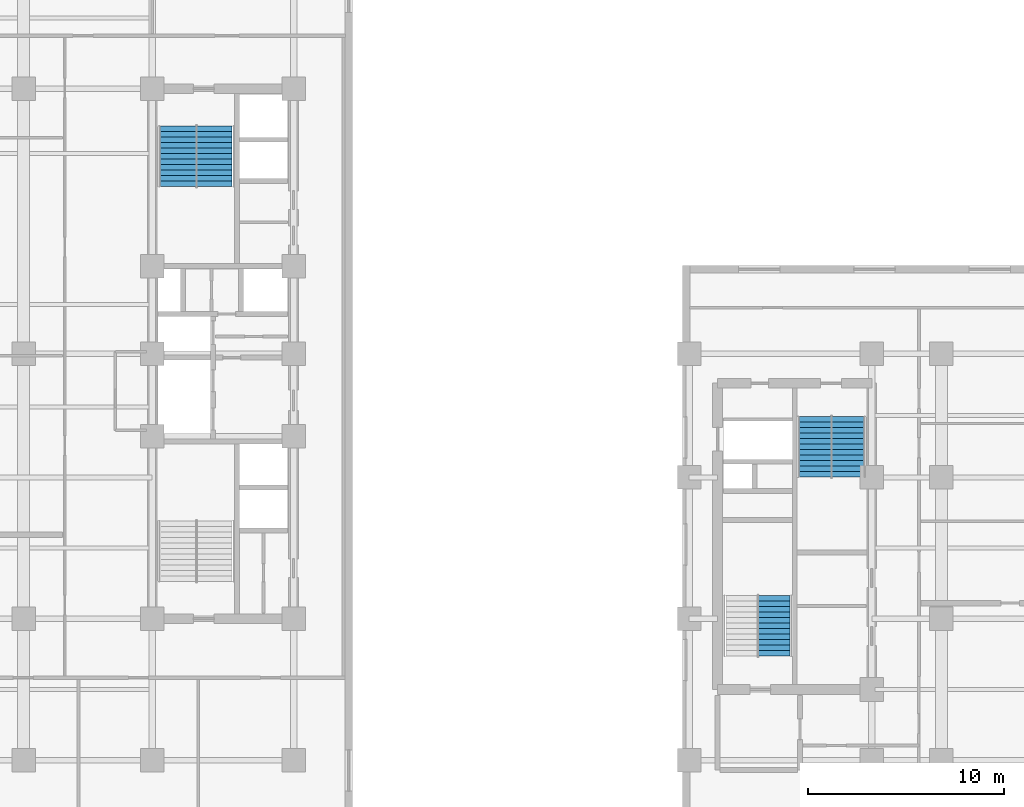
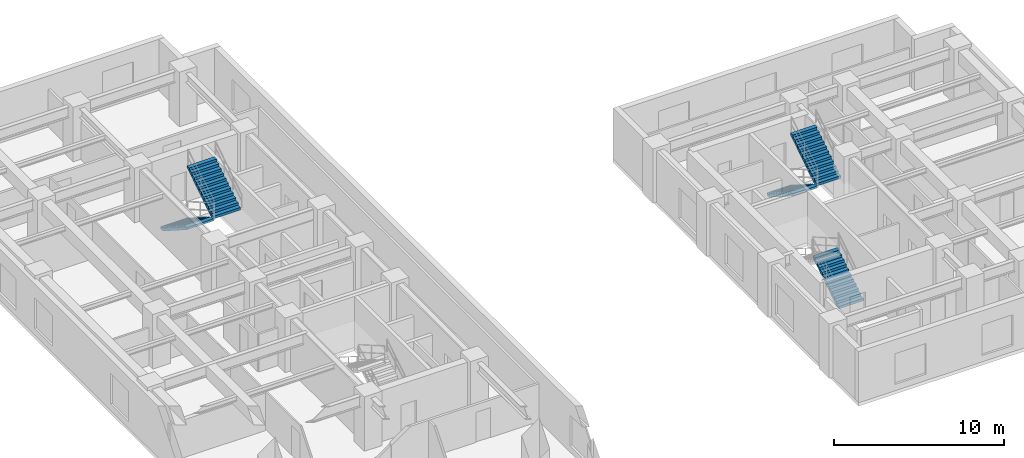
# One storey, part 6 of 9: 5 stair flights, 3 elements without a shape of their own.
"""IFC4 building model written with IfcOpenShell, lengths in metres."""

from ifc_helpers import new_model, entity, si_unit, converted_unit, direction, frame, origin_with_axes, place, context, subcontext, project, spatial, polyline, outline, extrude, material, type_object, element, aggregate, save


model = new_model("IFC4")

# Units and contexts
model_context = context("Model", 3, precision=1e-05, world=origin_with_axes(), true_north=direction((0.0, 1.0)))
body_context = subcontext(model_context, "Body", "Model", "MODEL_VIEW")
ifc_project = project(units=[si_unit("LENGTHUNIT", "METRE"), si_unit("AREAUNIT", "SQUARE_METRE"), si_unit("VOLUMEUNIT", "CUBIC_METRE"), converted_unit("PLANEANGLEUNIT", "DEGREE", entity("IfcPlaneAngleMeasure", 0.017453292519943295), si_unit("PLANEANGLEUNIT", "RADIAN"), dimensions=[0, 0, 0, 0, 0, 0, 0]), si_unit("MASSUNIT", "GRAM", prefix="KILO"), si_unit("THERMODYNAMICTEMPERATUREUNIT", "KELVIN")], contexts=[model_context])

# Site, building, storey
site_placement = place(None, origin_with_axes())
site = spatial("IfcSite", under=ifc_project, at=site_placement, CompositionType="ELEMENT")
building_placement = place(site_placement, origin_with_axes())
building = spatial("IfcBuilding", under=site, at=building_placement, Name="Varnlund Millrace Tower", CompositionType="ELEMENT")
storey_placement = place(building_placement, frame((0.0, 0.0, 96.9), z_axis=(0.0, 0.0, 1.0), x_axis=(1.0, 0.0, 0.0)))
storey = spatial("IfcBuildingStorey", under=building, at=storey_placement, Name="L23", CompositionType="ELEMENT", Elevation=96.9)

# Stair, stair flight
ifc_material_1 = material(Name="Concrete C50/60", Category="concrete")
stair_type_1 = type_object("IfcStairType", Name="Type-Stair-Dogleg-165-390", PredefinedType="HALF_TURN_STAIR", material=ifc_material_1)
stair_1_placement = place(storey_placement, origin_with_axes())
stair_1 = element("IfcStair", 1, at=stair_1_placement, inside=storey, type_object=stair_type_1, Name="Type-Stair-Dogleg-165-390", PredefinedType="HALF_TURN_STAIR")
ifc_material_2 = material(Name="Precast concrete C50/60", Category="concrete")
stair_flight_type_1 = type_object("IfcStairFlightType", Name="Type-Dogleg-Run-165-390", PredefinedType="STRAIGHT", material=ifc_material_2)
stair_flight_1_placement = place(storey_placement, frame((42.225, 8.9, 0.0), z_axis=(1.0, 0.0, 0.0), x_axis=(0.0, 1.0, 0.0)))
stair_flight_1 = element("IfcStairFlight", 2, at=stair_flight_1_placement, type_object=stair_flight_type_1, Name="ST-B1 flight 1", NumberOfRisers=11, NumberOfTreads=11, PredefinedType="STRAIGHT", RiserHeight=0.177273, TreadLength=0.28, context=body_context, shape_type="SweptSolid", body=[
    extrude(outline(polyline([(0.0, 0.0), (0.0, 0.177273), (0.28, 0.177273), (0.28, 0.354545), (0.56, 0.354545), (0.56, 0.531818), (0.84, 0.531818), (0.84, 0.709091), (1.12, 0.709091), (1.12, 0.886364), (1.4, 0.886364), (1.4, 1.063636), (1.68, 1.063636), (1.68, 1.240909), (1.96, 1.240909), (1.96, 1.418182), (2.24, 1.418182), (2.24, 1.595454), (2.52, 1.595454), (2.52, 1.772727), (2.8, 1.772727), (2.8, 1.95), (3.08, 1.95), (3.08, 1.8), (0.28, 0.0), (0.0, 0.0)])), origin_with_axes(), (0.0, 0.0, 1.0), 1.65),
])
aggregate(stair_1, [stair_flight_1])

# Stair, stair flights
stair_2_placement = place(storey_placement, origin_with_axes())
stair_2 = element("IfcStair", 3, at=stair_2_placement, inside=storey, type_object=stair_type_1, Name="Type-Stair-Dogleg-165-390", PredefinedType="HALF_TURN_STAIR")
stair_flight_2_placement = place(storey_placement, frame((46.025, 21.1, 0.0), z_axis=(-1.0, 0.0, 0.0), x_axis=(0.0, -1.0, 0.0)))
stair_flight_2 = element("IfcStairFlight", 4, at=stair_flight_2_placement, type_object=stair_flight_type_1, Name="ST-B2 flight 1", NumberOfRisers=11, NumberOfTreads=11, PredefinedType="STRAIGHT", RiserHeight=0.177273, TreadLength=0.28, context=body_context, shape_type="SweptSolid", body=[
    extrude(outline(polyline([(0.0, 0.0), (0.0, 0.177273), (0.28, 0.177273), (0.28, 0.354545), (0.56, 0.354545), (0.56, 0.531818), (0.84, 0.531818), (0.84, 0.709091), (1.12, 0.709091), (1.12, 0.886364), (1.4, 0.886364), (1.4, 1.063636), (1.68, 1.063636), (1.68, 1.240909), (1.96, 1.240909), (1.96, 1.418182), (2.24, 1.418182), (2.24, 1.595454), (2.52, 1.595454), (2.52, 1.772727), (2.8, 1.772727), (2.8, 1.95), (3.08, 1.95), (3.08, 1.8), (0.28, 0.0), (0.0, 0.0)])), origin_with_axes(), (0.0, 0.0, 1.0), 1.65),
])
stair_flight_3_placement = place(storey_placement, frame((45.975, 18.02, 1.95), z_axis=(1.0, 0.0, 0.0), x_axis=(0.0, 1.0, 0.0)))
stair_flight_3 = element("IfcStairFlight", 5, at=stair_flight_3_placement, type_object=stair_flight_type_1, Name="ST-B2 flight 2", NumberOfRisers=11, NumberOfTreads=11, PredefinedType="STRAIGHT", RiserHeight=0.177273, TreadLength=0.28, context=body_context, shape_type="SweptSolid", body=[
    extrude(outline(polyline([(0.0, 0.0), (0.0, 0.177273), (0.28, 0.177273), (0.28, 0.354545), (0.56, 0.354545), (0.56, 0.531818), (0.84, 0.531818), (0.84, 0.709091), (1.12, 0.709091), (1.12, 0.886364), (1.4, 0.886364), (1.4, 1.063636), (1.68, 1.063636), (1.68, 1.240909), (1.96, 1.240909), (1.96, 1.418182), (2.24, 1.418182), (2.24, 1.595454), (2.52, 1.595454), (2.52, 1.772727), (2.8, 1.772727), (2.8, 1.95), (3.08, 1.95), (3.08, 1.8), (0.28, 0.0), (0.0, 0.0)])), origin_with_axes(), (0.0, 0.0, 1.0), 1.65),
])
aggregate(stair_2, [stair_flight_2, stair_flight_3])

stair_type_2 = type_object("IfcStairType", Name="Type-Stair-Dogleg-185-390", PredefinedType="HALF_TURN_STAIR", material=ifc_material_1)
stair_3_placement = place(storey_placement, origin_with_axes())
stair_3 = element("IfcStair", 6, at=stair_3_placement, inside=storey, type_object=stair_type_2, Name="Type-Stair-Dogleg-185-390", PredefinedType="HALF_TURN_STAIR")
stair_flight_type_2 = type_object("IfcStairFlightType", Name="Type-Dogleg-Run-185-390", PredefinedType="STRAIGHT", material=ifc_material_2)
stair_flight_4_placement = place(storey_placement, frame((13.675, 35.9, 0.0), z_axis=(-1.0, 0.0, 0.0), x_axis=(0.0, -1.0, 0.0)))
stair_flight_4 = element("IfcStairFlight", 7, at=stair_flight_4_placement, type_object=stair_flight_type_2, Name="ST-A2 flight 1", NumberOfRisers=11, NumberOfTreads=11, PredefinedType="STRAIGHT", RiserHeight=0.177273, TreadLength=0.28, context=body_context, shape_type="SweptSolid", body=[
    extrude(outline(polyline([(0.0, 0.0), (0.0, 0.177273), (0.28, 0.177273), (0.28, 0.354545), (0.56, 0.354545), (0.56, 0.531818), (0.84, 0.531818), (0.84, 0.709091), (1.12, 0.709091), (1.12, 0.886364), (1.4, 0.886364), (1.4, 1.063636), (1.68, 1.063636), (1.68, 1.240909), (1.96, 1.240909), (1.96, 1.418182), (2.24, 1.418182), (2.24, 1.595454), (2.52, 1.595454), (2.52, 1.772727), (2.8, 1.772727), (2.8, 1.95), (3.08, 1.95), (3.08, 1.8), (0.28, 0.0), (0.0, 0.0)])), origin_with_axes(), (0.0, 0.0, 1.0), 1.85),
])
stair_flight_5_placement = place(storey_placement, frame((13.625, 32.82, 1.95), z_axis=(1.0, 0.0, 0.0), x_axis=(0.0, 1.0, 0.0)))
stair_flight_5 = element("IfcStairFlight", 8, at=stair_flight_5_placement, type_object=stair_flight_type_2, Name="ST-A2 flight 2", NumberOfRisers=11, NumberOfTreads=11, PredefinedType="STRAIGHT", RiserHeight=0.177273, TreadLength=0.28, context=body_context, shape_type="SweptSolid", body=[
    extrude(outline(polyline([(0.0, 0.0), (0.0, 0.177273), (0.28, 0.177273), (0.28, 0.354545), (0.56, 0.354545), (0.56, 0.531818), (0.84, 0.531818), (0.84, 0.709091), (1.12, 0.709091), (1.12, 0.886364), (1.4, 0.886364), (1.4, 1.063636), (1.68, 1.063636), (1.68, 1.240909), (1.96, 1.240909), (1.96, 1.418182), (2.24, 1.418182), (2.24, 1.595454), (2.52, 1.595454), (2.52, 1.772727), (2.8, 1.772727), (2.8, 1.95), (3.08, 1.95), (3.08, 1.8), (0.28, 0.0), (0.0, 0.0)])), origin_with_axes(), (0.0, 0.0, 1.0), 1.85),
])
aggregate(stair_3, [stair_flight_4, stair_flight_5])

save(model, "model.ifc")
